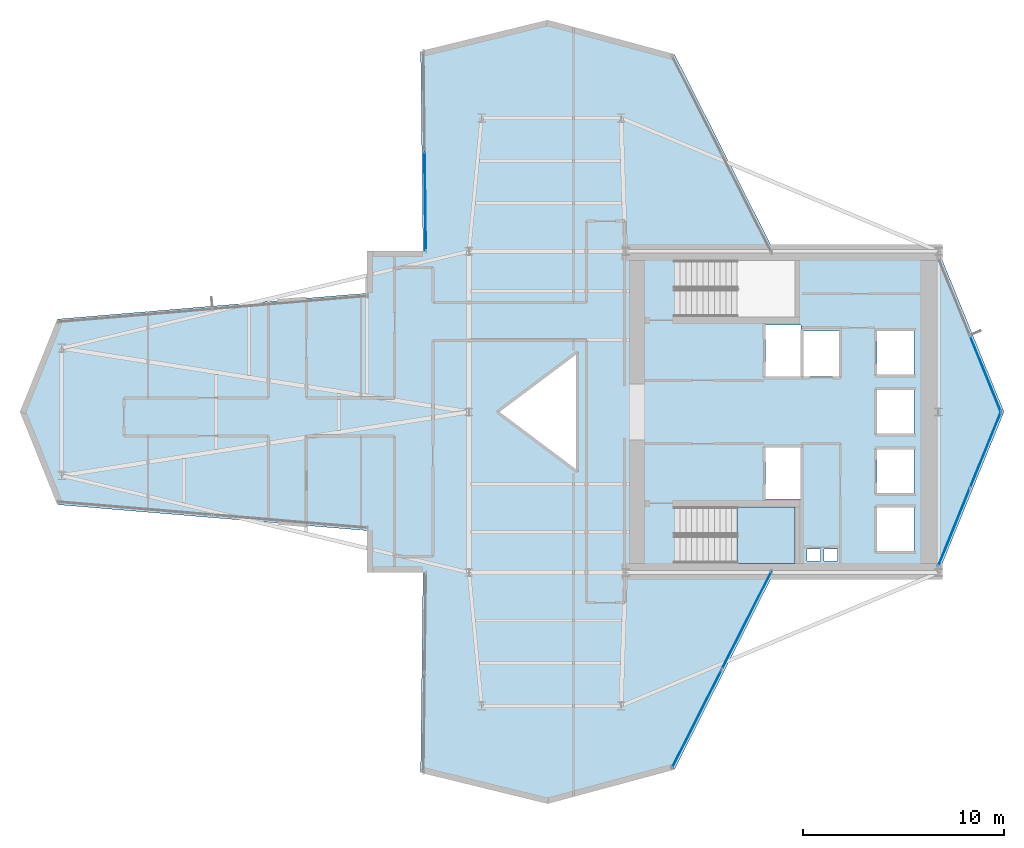
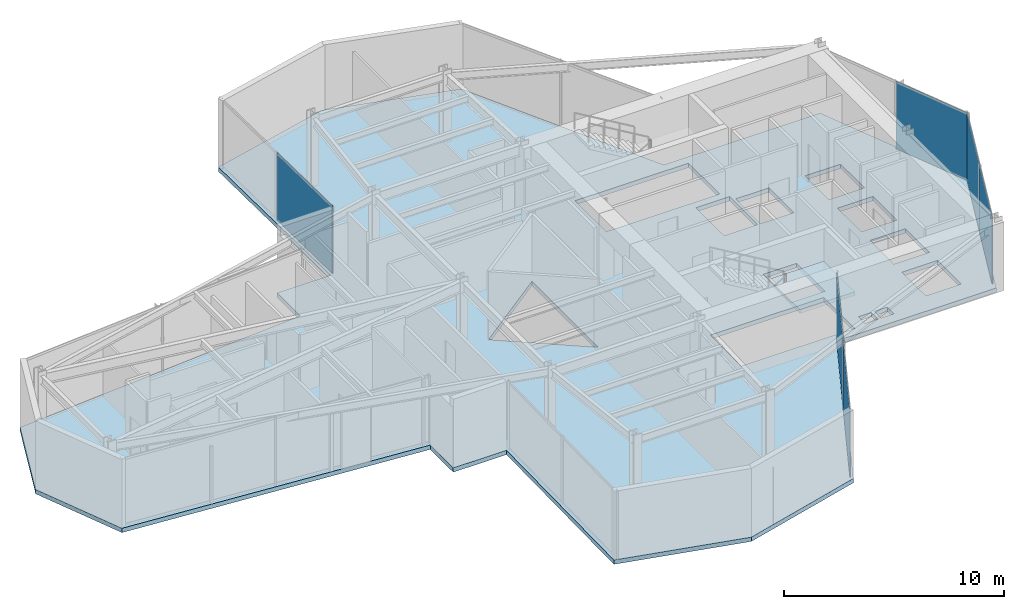
# One storey, part 21 of 26: 6 plates, 2 slabs, 5 elements without a shape of their own.
"""IFC4 building model written with IfcOpenShell, lengths in metres."""

from ifc_helpers import new_model, si_unit, direction, frame, origin, origin_2d, place, context, subcontext, project, spatial, polyline, rectangle, outline, extrude, material, layer, layer_set, type_object, element, aggregate, save


model = new_model("IFC4")

# Units and contexts
model_context = context("Model", 3, precision=1e-05, world=origin(), true_north=direction((0.0, 1.0)))
body_context = subcontext(model_context, "Body", "Model", "MODEL_VIEW")
ifc_project = project(units=[si_unit("LENGTHUNIT", "METRE"), si_unit("AREAUNIT", "SQUARE_METRE"), si_unit("VOLUMEUNIT", "CUBIC_METRE"), si_unit("PLANEANGLEUNIT", "RADIAN"), si_unit("MASSUNIT", "GRAM", prefix="KILO")], contexts=[model_context])

# Site, building, storey
site_placement = place(None, origin())
site = spatial("IfcSite", under=ifc_project, at=site_placement, CompositionType="ELEMENT")
building_placement = place(site_placement, origin())
building = spatial("IfcBuilding", under=site, at=building_placement, Name="Veymaron Broadcast Tower", CompositionType="ELEMENT")
storey_placement = place(building_placement, frame((0.0, 0.0, 133.050048828125)))
storey = spatial("IfcBuildingStorey", under=building, at=storey_placement, Name="L30", CompositionType="ELEMENT", Elevation=133.050048828125)

# Curtain wall, plates
ifc_material_1 = material(Name="Anodised aluminium AA 6063-T6 and laminated low-E dark glass", Category="aluminium")
ifc_layer_1 = layer(ifc_material_1, 0.179931640625)
ifc_layer_set_1 = layer_set([ifc_layer_1], Name="Anodised aluminium AA 6063-T6 and laminated low-E dark glass")
curtain_wall_type = type_object("IfcCurtainWallType", Name="CW-SYS-03", PredefinedType="NOTDEFINED", material=ifc_layer_set_1)
curtain_wall_1_placement = place(storey_placement, origin())
curtain_wall_1 = element("IfcCurtainWall", 1, at=curtain_wall_1_placement, inside=storey, type_object=curtain_wall_type, Name="L30 dark-glass curtain wall CW-L30-E2-1", PredefinedType="NOTDEFINED")
ifc_material_2 = material(Name="Insulated dark-anodised aluminium spandrel panel 40 mm", Category="aluminium")
ifc_layer_2 = layer(ifc_material_2, 0.0400390625)
ifc_layer_set_2 = layer_set([ifc_layer_2], Name="Insulated dark-anodised aluminium spandrel panel 40 mm")
plate_type = type_object("IfcPlateType", Name="CW-PNL-03", PredefinedType="CURTAIN_PANEL", material=ifc_layer_set_2)
plate_1_placement = place(storey_placement, frame((55.361083984375, 18.241943359375, 0.0400390625), z_axis=(0.0, 0.0, 1.0), x_axis=(0.376871010412, 0.926265751019, 0.0)))
plate_1 = element("IfcPlate", 2, at=plate_1_placement, type_object=plate_type, Name="CW-L30-E2-1 unitised curtain panel 0", PredefinedType="CURTAIN_PANEL", context=body_context, shape_type="SweptSolid", body=[
    extrude(rectangle(XDim=4.122314453125, YDim=0.0400390625, at=origin_2d()), origin(), (0.0, 0.0, 1.0), 3.72998046875),
])
plate_2_placement = place(storey_placement, frame((56.937255859375, 22.11572265625, 0.0400390625), z_axis=(0.0, 0.0, 1.0), x_axis=(0.376871010412, 0.926265751019, 0.0)))
plate_2 = element("IfcPlate", 3, at=plate_2_placement, type_object=plate_type, Name="CW-L30-E2-1 unitised curtain panel 1", PredefinedType="CURTAIN_PANEL", context=body_context, shape_type="SweptSolid", body=[
    extrude(rectangle(XDim=4.122314453125, YDim=0.0400390625, at=origin_2d()), origin(), (0.0, 0.0, 1.0), 3.72998046875),
])
aggregate(curtain_wall_1, [plate_1, plate_2])

# Curtain wall, plate
curtain_wall_2_placement = place(storey_placement, origin())
curtain_wall_2 = element("IfcCurtainWall", 4, at=curtain_wall_2_placement, inside=storey, type_object=curtain_wall_type, Name="L30 dark-glass curtain wall CW-L30-E3-1", PredefinedType="NOTDEFINED")
plate_3_placement = place(storey_placement, frame((56.937255859375, 25.88427734375, 0.0400390625), z_axis=(0.0, 0.0, 1.0), x_axis=(-0.376871010412, 0.926265751019, 0.0)))
plate_3 = element("IfcPlate", 5, at=plate_3_placement, type_object=plate_type, Name="CW-L30-E3-1 unitised curtain panel 0", PredefinedType="CURTAIN_PANEL", context=body_context, shape_type="SweptSolid", body=[
    extrude(rectangle(XDim=4.122314453125, YDim=0.0400390625, at=origin_2d()), origin(), (0.0, 0.0, 1.0), 3.72998046875),
])
aggregate(curtain_wall_2, [plate_3])

curtain_wall_3_placement = place(storey_placement, origin())
curtain_wall_3 = element("IfcCurtainWall", 6, at=curtain_wall_3_placement, inside=storey, type_object=curtain_wall_type, Name="L30 dark-glass curtain wall CW-L30-E8-1", PredefinedType="NOTDEFINED")
plate_4_placement = place(storey_placement, frame((29.020263671875, 34.492919921875, 0.0400390625), z_axis=(0.0, 0.0, 1.0), x_axis=(0.012077384797, -0.999927065729, 0.0)))
plate_4 = element("IfcPlate", 7, at=plate_4_placement, type_object=plate_type, Name="CW-L30-E8-1 unitised curtain panel 1", PredefinedType="CURTAIN_PANEL", context=body_context, shape_type="SweptSolid", body=[
    extrude(rectangle(XDim=4.9228515625, YDim=0.0400390625, at=origin_2d()), origin(), (0.0, 0.0, 1.0), 3.72998046875),
])
aggregate(curtain_wall_3, [plate_4])

# Curtain wall, plates
curtain_wall_4_placement = place(storey_placement, origin())
curtain_wall_4 = element("IfcCurtainWall", 8, at=curtain_wall_4_placement, inside=storey, type_object=curtain_wall_type, Name="L30 dark-glass curtain wall CW-L30-E20-1", PredefinedType="NOTDEFINED")
plate_5_placement = place(storey_placement, frame((42.553955078125, 8.70556640625, 0.0400390625), z_axis=(0.0, 0.0, 1.0), x_axis=(0.450908697538, 0.892570079313, 0.0)))
plate_5 = element("IfcPlate", 9, at=plate_5_placement, type_object=plate_type, Name="CW-L30-E20-1 unitised curtain panel 0", PredefinedType="CURTAIN_PANEL", context=body_context, shape_type="SweptSolid", body=[
    extrude(rectangle(XDim=5.435302734375, YDim=0.0400390625, at=origin_2d()), origin(), (0.0, 0.0, 1.0), 3.72998046875),
])
plate_6_placement = place(storey_placement, frame((45.031982421875, 13.610595703125, 0.0400390625), z_axis=(0.0, 0.0, 1.0), x_axis=(0.450908697538, 0.892570079313, 0.0)))
plate_6 = element("IfcPlate", 10, at=plate_6_placement, type_object=plate_type, Name="CW-L30-E20-1 unitised curtain panel 1", PredefinedType="CURTAIN_PANEL", context=body_context, shape_type="SweptSolid", body=[
    extrude(rectangle(XDim=5.435302734375, YDim=0.0400390625, at=origin_2d()), origin(), (0.0, 0.0, 1.0), 3.72998046875),
])
aggregate(curtain_wall_4, [plate_5, plate_6])

# Slab
ifc_material_3 = material(Name="Concrete C40/50", Category="concrete")
ifc_layer_3 = layer(ifc_material_3, 0.239990234375)
ifc_layer_set_3 = layer_set([ifc_layer_3], Name="Concrete C40/50")
slab_type_1 = type_object("IfcSlabType", Name="SLAB-FS6", PredefinedType="FLOOR", material=ifc_layer_set_3)
slab_1_placement = place(storey_placement, frame((0.0, 0.0, -0.239990234375)))
element("IfcSlab", 11, at=slab_1_placement, inside=storey, type_object=slab_type_1, Name="L30 structural floor slab", PredefinedType="FLOOR", context=body_context, shape_type="SweptSolid", body=[
    extrude(outline(polyline([(46.39599609375, 16.0), (54.60009765625, 16.0), (57.85498046875, 24.0), (54.60009765625, 32.0), (46.39599609375, 32.0), (41.43994140625, 41.81005859375), (35.114990234375, 43.514892578125), (28.7900390625, 41.965087890625), (28.910400390625, 32.0), (26.1201171875, 32.0), (26.1201171875, 29.914306640625), (10.699951171875, 28.6220703125), (8.840087890625, 24.0), (10.699951171875, 19.3779296875), (26.1201171875, 18.085693359375), (26.1201171875, 16.0), (28.910400390625, 16.0), (28.7900390625, 6.034912109375), (35.114990234375, 4.485107421875), (41.43994140625, 6.18994140625), (46.39599609375, 16.0)]), holes=[polyline([(45.969970703125, 28.330078125), (47.72998046875, 28.330078125), (47.72998046875, 25.77001953125), (45.969970703125, 25.77001953125), (45.969970703125, 28.330078125)]), polyline([(45.969970703125, 22.22998046875), (47.72998046875, 22.22998046875), (47.72998046875, 19.669921875), (45.969970703125, 19.669921875), (45.969970703125, 22.22998046875)]), polyline([(47.8701171875, 28.030029296875), (49.6298828125, 28.030029296875), (49.6298828125, 25.77001953125), (47.8701171875, 25.77001953125), (47.8701171875, 28.030029296875)]), polyline([(51.52001953125, 28.030029296875), (53.3798828125, 28.030029296875), (53.3798828125, 25.8701171875), (51.52001953125, 25.8701171875), (51.52001953125, 28.030029296875)]), polyline([(51.52001953125, 22.1298828125), (53.3798828125, 22.1298828125), (53.3798828125, 19.969970703125), (51.52001953125, 19.969970703125), (51.52001953125, 22.1298828125)]), polyline([(51.52001953125, 25.080078125), (53.3798828125, 25.080078125), (53.3798828125, 22.919921875), (51.52001953125, 22.919921875), (51.52001953125, 25.080078125)]), polyline([(51.52001953125, 19.22998046875), (53.3798828125, 19.22998046875), (53.3798828125, 17.070068359375), (51.52001953125, 17.070068359375), (51.52001953125, 19.22998046875)]), polyline([(48.050048828125, 17.159912109375), (48.719970703125, 17.159912109375), (48.719970703125, 16.56005859375), (48.050048828125, 16.56005859375), (48.050048828125, 17.159912109375)]), polyline([(48.8798828125, 17.159912109375), (49.550048828125, 17.159912109375), (49.550048828125, 16.56005859375), (48.8798828125, 16.56005859375), (48.8798828125, 17.159912109375)]), polyline([(36.60009765625, 27.0), (36.60009765625, 21.0), (32.60009765625, 24.0), (36.60009765625, 27.0)]), polyline([(41.489990234375, 31.550048828125), (47.43994140625, 31.550048828125), (47.43994140625, 28.72998046875), (41.489990234375, 28.72998046875), (41.489990234375, 31.550048828125)]), polyline([(41.489990234375, 19.27001953125), (47.43994140625, 19.27001953125), (47.43994140625, 16.449951171875), (41.489990234375, 16.449951171875), (41.489990234375, 19.27001953125)])]), origin(), (0.0, 0.0, 1.0), 0.239990234375),
])

# Stair, slab
ifc_material_4 = material(Name="Concrete C50/60", Category="concrete")
stair_type = type_object("IfcStairType", Name="STAIR-CORE-2", PredefinedType="HALF_TURN_STAIR", material=ifc_material_4)
stair_placement = place(storey_placement, origin())
stair = element("IfcStair", 12, at=stair_placement, inside=storey, type_object=stair_type, Name="L30 South protected dog-leg exit stair ST2", PredefinedType="HALF_TURN_STAIR")
ifc_layer_4 = layer(ifc_material_4, 0.199951171875)
ifc_layer_set_4 = layer_set([ifc_layer_4], Name="Concrete C50/60")
slab_type_2 = type_object("IfcSlabType", Name="SLAB-STAIR-LDG", PredefinedType="LANDING", material=ifc_layer_set_4)
slab_2_placement = place(storey_placement, frame((0.0, 0.0, 1.824951171875)))
slab_2 = element("IfcSlab", 13, at=slab_2_placement, type_object=slab_type_2, Name="ST2 landing 1", PredefinedType="LANDING", context=body_context, shape_type="SweptSolid", body=[
    extrude(outline(polyline([(44.56494140625, 16.449951171875), (47.43994140625, 16.449951171875), (47.43994140625, 19.27001953125), (44.56494140625, 19.27001953125), (44.56494140625, 16.449951171875)])), origin(), (0.0, 0.0, 1.0), 0.199951171875),
])
aggregate(stair, [slab_2])

save(model, "model.ifc")
